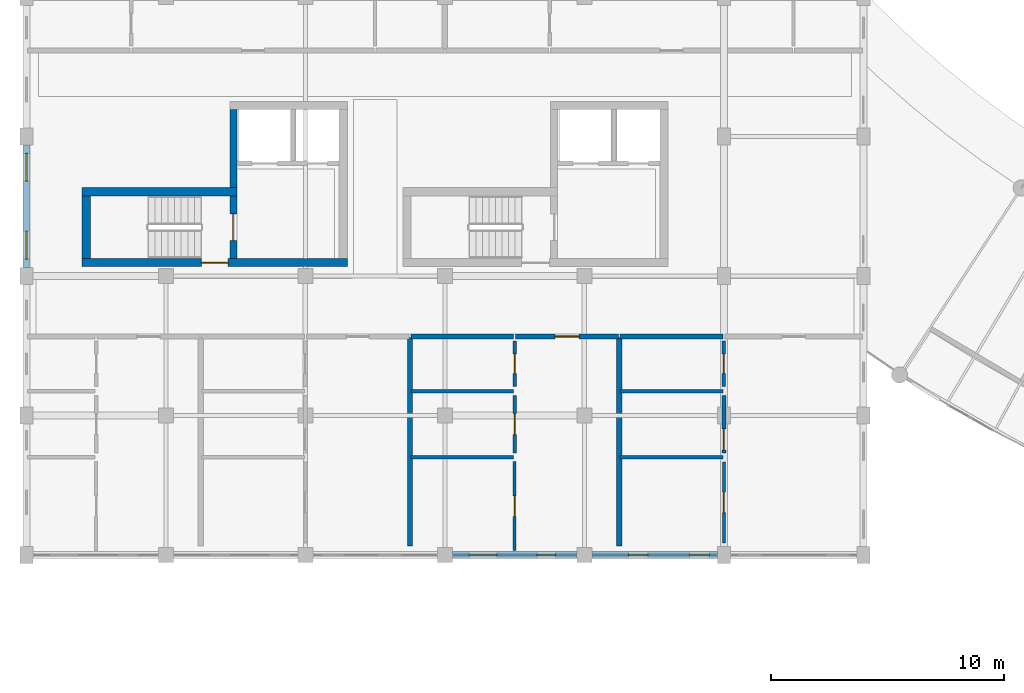
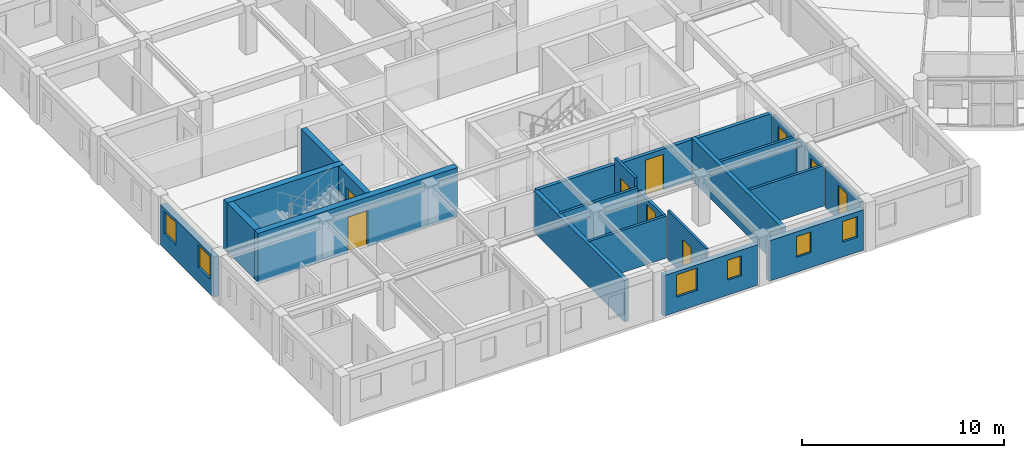
# One storey, part 55 of 100: 23 walls, 9 doors, 6 windows, 15 openings.
"""IFC4 building model written with IfcOpenShell, lengths in metres."""

from ifc_helpers import new_model, si_unit, direction, frame, frame_2d, origin, place, context, subcontext, project, spatial, rectangle, extrude, material, layer, layer_set, type_object, element, fill, save


model = new_model("IFC4")

# Units and contexts
model_context = context("Model", 3, precision=1e-05, world=origin(), true_north=direction((0.0, 1.0)))
body_context = subcontext(model_context, "Body", "Model", "MODEL_VIEW")
ifc_project = project(units=[si_unit("LENGTHUNIT", "METRE"), si_unit("AREAUNIT", "SQUARE_METRE"), si_unit("VOLUMEUNIT", "CUBIC_METRE"), si_unit("PLANEANGLEUNIT", "RADIAN"), si_unit("MASSUNIT", "GRAM", prefix="KILO"), si_unit("POWERUNIT", "WATT"), si_unit("THERMODYNAMICTEMPERATUREUNIT", "KELVIN")], contexts=[model_context])

# Site, building, storey
site_placement = place(None, origin())
site = spatial("IfcSite", under=ifc_project, at=site_placement, CompositionType="ELEMENT")
building_placement = place(site_placement, origin())
building = spatial("IfcBuilding", under=site, at=building_placement, Name="Ruvembo Vaulted Housing Court", CompositionType="ELEMENT")
storey_placement = place(building_placement, frame((0.0, 0.0, 10.89990234375)))
storey = spatial("IfcBuildingStorey", under=building, at=storey_placement, Name="L03", CompositionType="ELEMENT", Elevation=10.89990234375)

# Wall, opening, door
ifc_material_1 = material(Name="Concrete C35/45", Category="concrete")
ifc_layer_1 = layer(ifc_material_1, 0.300048828125, Name="Concrete C35/45")
ifc_layer_set_1 = layer_set([ifc_layer_1], Name="Concrete C35/45")
wall_type_1 = type_object("IfcWallType", Name="WL-CORE-300", PredefinedType="SHEAR", material=ifc_layer_set_1)
wall_1_placement = place(storey_placement, frame((8.89990234375, 18.75, 0.0), z_axis=(0.0, 0.0, 1.0), x_axis=(0.0, 1.0, 0.0)))
wall_1 = element("IfcWall", 1, at=wall_1_placement, inside=storey, type_object=wall_type_1, Name="Core A1 L03 Stair-Lobby Shear Wall", PredefinedType="SHEAR", context=body_context, shape_type="SweptSolid", body=[
    extrude(rectangle(XDim=2.699951171875, YDim=0.300048828125, at=frame_2d((1.35009765625, 0.0))), origin(), (0.0, 0.0, 1.0), 2.960205078125),
])
opening_1_placement = place(wall_1_placement, frame((0.77490234375, 0.0, 0.0)))
opening_1 = element("IfcOpeningElement", 2, at=opening_1_placement, cuts=wall_1, Name="Opening SD1", PredefinedType="OPENING", context=body_context, shape_type="SweptSolid", body=[
    extrude(rectangle(XDim=1.14990234375, YDim=2.14990234375, at=frame_2d((0.574951171875, 1.074951171875))), frame((0.0, 0.159912109375, 0.0), z_axis=(0.0, -1.0, 0.0), x_axis=(1.0, 0.0, 0.0)), (0.0, 0.0, 1.0), 0.320068359375),
])
ifc_material_2 = material(Name="Galvanised Painted Steel", Category="steel")
door_type_1 = type_object("IfcDoorType", Name="DR-STAIR-1150x2150", OperationType="NOTDEFINED", PredefinedType="DOOR", material=ifc_material_2)
door_1_placement = place(opening_1_placement, origin())
door_1 = element("IfcDoor", 3, at=door_1_placement, inside=storey, type_object=door_type_1, Name="Stair ST-A1 L03 Fire Door", OperationType="SINGLE_SWING_RIGHT", OverallHeight=2.14990234375, OverallWidth=1.14990234375, PredefinedType="DOOR", context=body_context, shape_type="SweptSolid", body=[
    extrude(rectangle(XDim=1.14990234375, YDim=2.14990234375, at=frame_2d((0.574951171875, 1.074951171875))), frame((0.0, 0.02490234375, 0.0), z_axis=(0.0, -1.0, 0.0), x_axis=(1.0, 0.0, 0.0)), (0.0, 0.0, 1.0), 0.050048828125),
])
fill(opening_1, door_1)

# Wall
wall_2_placement = place(storey_placement, frame((8.89990234375, 21.800048828125, 0.0), z_axis=(0.0, 0.0, 1.0), x_axis=(0.0, 1.0, 0.0)))
element("IfcWall", 4, at=wall_2_placement, inside=storey, type_object=wall_type_1, Name="Core A1 L03 Upper West Shear Wall", PredefinedType="SHEAR", context=body_context, shape_type="SweptSolid", body=[
    extrude(rectangle(XDim=3.349853515625, YDim=0.300048828125, at=frame_2d((1.6748046875, 0.0))), origin(), (0.0, 0.0, 1.0), 2.960205078125),
])

# Wall, opening, door
ifc_layer_2 = layer(ifc_material_1, 0.35009765625, Name="Concrete C35/45")
ifc_layer_set_2 = layer_set([ifc_layer_2], Name="Concrete C35/45")
wall_type_2 = type_object("IfcWallType", Name="WL-CORE-350", PredefinedType="SHEAR", material=ifc_layer_set_2)
wall_3_placement = place(storey_placement, frame((2.39990234375, 18.574951171875, 0.0), z_axis=(0.0, 0.0, 1.0), x_axis=(1.0, 0.0, 0.0)))
wall_3 = element("IfcWall", 5, at=wall_3_placement, inside=storey, type_object=wall_type_2, Name="Core A1 L03 South Shear Wall", PredefinedType="SHEAR", context=body_context, shape_type="SweptSolid", body=[
    extrude(rectangle(XDim=11.400146484375, YDim=0.35009765625, at=frame_2d((5.7001953125, 0.0))), origin(), (0.0, 0.0, 1.0), 2.960205078125),
])
opening_2_placement = place(wall_3_placement, frame((5.125, 0.0, 0.0)))
opening_2 = element("IfcOpeningElement", 6, at=opening_2_placement, cuts=wall_3, Name="Opening LD0", PredefinedType="OPENING", context=body_context, shape_type="SweptSolid", body=[
    extrude(rectangle(XDim=1.14990234375, YDim=2.14990234375, at=frame_2d((0.574951171875, 1.074951171875))), frame((0.0, 0.18505859375, 0.0), z_axis=(0.0, -1.0, 0.0), x_axis=(1.0, 0.0, 0.0)), (0.0, 0.0, 1.0), 0.3701171875),
])
door_type_2 = type_object("IfcDoorType", Name="DR-LOB-1150x2150", OperationType="NOTDEFINED", PredefinedType="DOOR", material=ifc_material_2)
door_2_placement = place(opening_2_placement, origin())
door_2 = element("IfcDoor", 7, at=door_2_placement, inside=storey, type_object=door_type_2, Name="Core A1 L03 Lobby Fire Door", OperationType="SINGLE_SWING_LEFT", OverallHeight=2.14990234375, OverallWidth=1.14990234375, PredefinedType="DOOR", context=body_context, shape_type="SweptSolid", body=[
    extrude(rectangle(XDim=1.14990234375, YDim=2.14990234375, at=frame_2d((0.574951171875, 1.074951171875))), frame((0.0, 0.02490234375, 0.0), z_axis=(0.0, -1.0, 0.0), x_axis=(1.0, 0.0, 0.0)), (0.0, 0.0, 1.0), 0.050048828125),
])
fill(opening_2, door_2)

# Walls
wall_4_placement = place(storey_placement, frame((9.050048828125, 21.625, 0.0), z_axis=(0.0, 0.0, 1.0), x_axis=(-1.0, 0.0, 0.0)))
element("IfcWall", 8, at=wall_4_placement, inside=storey, type_object=wall_type_2, Name="Core A1 L03 Stair North Shear Wall", PredefinedType="SHEAR", context=body_context, shape_type="SweptSolid", body=[
    extrude(rectangle(XDim=6.650146484375, YDim=0.35009765625, at=frame_2d((3.3251953125, 0.0))), origin(), (0.0, 0.0, 1.0), 2.960205078125),
])
wall_5_placement = place(storey_placement, frame((2.574951171875, 21.449951171875, 0.0), z_axis=(0.0, 0.0, 1.0), x_axis=(0.0, -1.0, 0.0)))
element("IfcWall", 9, at=wall_5_placement, inside=storey, type_object=wall_type_2, Name="Core A1 L03 Stair West Shear Wall", PredefinedType="SHEAR", context=body_context, shape_type="SweptSolid", body=[
    extrude(rectangle(XDim=2.699951171875, YDim=0.35009765625, at=frame_2d((1.35009765625, 0.0))), origin(), (0.0, 0.0, 1.0), 2.960205078125),
])
ifc_material_3 = material(Name="Concrete Blockwork 200", Category="masonry")
ifc_layer_3 = layer(ifc_material_3, 0.199951171875, Name="Concrete Blockwork 200")
ifc_layer_set_3 = layer_set([ifc_layer_3], Name="Concrete Blockwork 200")
wall_type_3 = type_object("IfcWallType", Name="WL-CORR-200", PredefinedType="SOLIDWALL", material=ifc_layer_set_3)
wall_6_placement = place(storey_placement, frame((16.5400390625, 15.39990234375, 0.0), z_axis=(0.0, 0.0, 1.0), x_axis=(1.0, 0.0, 0.0)))
element("IfcWall", 10, at=wall_6_placement, inside=storey, type_object=wall_type_3, Name="L03 Flat A-L03-S3 Corridor Wall WL-INT-L03-00792", PredefinedType="SOLIDWALL", context=body_context, shape_type="SweptSolid", body=[
    extrude(rectangle(XDim=4.419921875, YDim=0.199951171875, at=frame_2d((2.2099609375, 0.0))), origin(), (0.0, 0.0, 1.0), 2.508056640625),
])

# Wall, opening, door
wall_7_placement = place(storey_placement, frame((21.0400390625, 15.39990234375, 0.0), z_axis=(0.0, 0.0, 1.0), x_axis=(1.0, 0.0, 0.0)))
wall_7 = element("IfcWall", 11, at=wall_7_placement, inside=storey, type_object=wall_type_3, Name="L03 Flat A-L03-S3 Entrance WL-INT-L03-00793", PredefinedType="SOLIDWALL", context=body_context, shape_type="SweptSolid", body=[
    extrude(rectangle(XDim=4.419921875, YDim=0.199951171875, at=frame_2d((2.2099609375, 0.0))), origin(), (0.0, 0.0, 1.0), 2.4580078125),
])
opening_3_placement = place(wall_7_placement, frame((1.68505859375, 0.0, 0.0)))
opening_3 = element("IfcOpeningElement", 12, at=opening_3_placement, cuts=wall_7, Name="Opening FD3", PredefinedType="OPENING", context=body_context, shape_type="SweptSolid", body=[
    extrude(rectangle(XDim=1.050048828125, YDim=2.14990234375, at=frame_2d((0.52490234375, 1.074951171875))), frame((0.0, 0.10986328125, 0.0), z_axis=(0.0, -1.0, 0.0), x_axis=(1.0, 0.0, 0.0)), (0.0, 0.0, 1.0), 0.219970703125),
])
ifc_material_4 = material(Name="FSC Hardwood and Engineered Timber", Category="wood")
door_type_3 = type_object("IfcDoorType", Name="DR-FLAT-1050x2150", OperationType="NOTDEFINED", PredefinedType="DOOR", material=ifc_material_4)
door_3_placement = place(opening_3_placement, origin())
door_3 = element("IfcDoor", 13, at=door_3_placement, inside=storey, type_object=door_type_3, Name="L03 Flat A-L03-S3 Entrance Door DR-INT-L03-00440", OperationType="SINGLE_SWING_RIGHT", OverallHeight=2.14990234375, OverallWidth=1.050048828125, PredefinedType="DOOR", context=body_context, shape_type="SweptSolid", body=[
    extrude(rectangle(XDim=1.050048828125, YDim=2.14990234375, at=frame_2d((0.52490234375, 1.074951171875))), frame((0.0, 0.02490234375, 0.0), z_axis=(0.0, -1.0, 0.0), x_axis=(1.0, 0.0, 0.0)), (0.0, 0.0, 1.0), 0.050048828125),
])
fill(opening_3, door_3)

# Walls
wall_8_placement = place(storey_placement, frame((25.5400390625, 15.39990234375, 0.0), z_axis=(0.0, 0.0, 1.0), x_axis=(1.0, 0.0, 0.0)))
element("IfcWall", 14, at=wall_8_placement, inside=storey, type_object=wall_type_3, Name="L03 Flat A-L03-S4 Corridor Wall WL-INT-L03-00799", PredefinedType="SOLIDWALL", context=body_context, shape_type="SweptSolid", body=[
    extrude(rectangle(XDim=4.419921875, YDim=0.199951171875, at=frame_2d((2.2099609375, 0.0))), origin(), (0.0, 0.0, 1.0), 2.442138671875),
])
ifc_material_5 = material(Name="Acoustic Masonry Demising 230", Category="masonry")
ifc_layer_4 = layer(ifc_material_5, 0.22998046875, Name="Acoustic Masonry Demising 230")
ifc_layer_set_4 = layer_set([ifc_layer_4], Name="Acoustic Masonry Demising 230")
wall_type_4 = type_object("IfcWallType", Name="WL-DEM-230", PredefinedType="SOLIDWALL", material=ifc_layer_set_4)
wall_9_placement = place(storey_placement, frame((16.5, 6.389892578125, 0.0), z_axis=(0.0, 0.0, 1.0), x_axis=(0.0, 1.0, 0.0)))
element("IfcWall", 15, at=wall_9_placement, inside=storey, type_object=wall_type_4, Name="L03 Demising A-L03-S2 WL-INT-L03-00783", PredefinedType="SOLIDWALL", context=body_context, shape_type="SweptSolid", body=[
    extrude(rectangle(XDim=8.97021484375, YDim=0.22998046875, at=frame_2d((4.485107421875, 0.0))), origin(), (0.0, 0.0, 1.0), 2.508056640625),
])
wall_10_placement = place(storey_placement, frame((25.5, 6.389892578125, 0.0), z_axis=(0.0, 0.0, 1.0), x_axis=(0.0, 1.0, 0.0)))
element("IfcWall", 16, at=wall_10_placement, inside=storey, type_object=wall_type_4, Name="L03 Demising A-L03-S3 WL-INT-L03-00791", PredefinedType="SOLIDWALL", context=body_context, shape_type="SweptSolid", body=[
    extrude(rectangle(XDim=8.97021484375, YDim=0.22998046875, at=frame_2d((4.485107421875, 0.0))), origin(), (0.0, 0.0, 1.0), 2.548095703125),
])

# Wall, openings, windows
ifc_material_6 = material(Name="Rendered Masonry 300", Category="masonry")
ifc_layer_5 = layer(ifc_material_6, 0.300048828125, Name="Rendered Masonry 300")
ifc_layer_set_5 = layer_set([ifc_layer_5], Name="Rendered Masonry 300")
wall_type_5 = type_object("IfcWallType", Name="WL-EXT-300", PredefinedType="STANDARD", material=ifc_layer_set_5)
wall_11_placement = place(storey_placement, frame((18.324951171875, 6.0, 0.0), z_axis=(0.0, 0.0, 1.0), x_axis=(1.0, 0.0, 0.0)))
wall_11 = element("IfcWall", 17, at=wall_11_placement, inside=storey, type_object=wall_type_5, Name="Block A L03 Exterior Wall STREET #4", PredefinedType="STANDARD", context=body_context, shape_type="SweptSolid", body=[
    extrude(rectangle(XDim=5.35009765625, YDim=0.300048828125, at=frame_2d((2.675048828125, 0.0))), origin(), (0.0, 0.0, 1.0), 2.442138671875),
])
opening_4_placement = place(wall_11_placement, frame((0.717529296875, 0.0, 0.89990234375)))
opening_4 = element("IfcOpeningElement", 18, at=opening_4_placement, cuts=wall_11, Name="Opening W12", PredefinedType="OPENING", context=body_context, shape_type="SweptSolid", body=[
    extrude(rectangle(XDim=1.199951171875, YDim=1.35009765625, at=frame_2d((0.60009765625, 0.675048828125))), frame((0.0, 0.159912109375, 0.0), z_axis=(0.0, -1.0, 0.0), x_axis=(1.0, 0.0, 0.0)), (0.0, 0.0, 1.0), 0.320068359375),
])
opening_5_placement = place(wall_11_placement, frame((3.632568359375, 0.0, 0.89990234375)))
opening_5 = element("IfcOpeningElement", 19, at=opening_5_placement, cuts=wall_11, Name="Opening W02", PredefinedType="OPENING", context=body_context, shape_type="SweptSolid", body=[
    extrude(rectangle(XDim=0.800048828125, YDim=1.199951171875, at=frame_2d((0.39990234375, 0.60009765625))), frame((0.0, 0.159912109375, 0.0), z_axis=(0.0, -1.0, 0.0), x_axis=(1.0, 0.0, 0.0)), (0.0, 0.0, 1.0), 0.320068359375),
])
ifc_material_7 = material(Name="Double Solar-Control Glazing in Aluminium Frame", Category="aluminium")
window_type_1 = type_object("IfcWindowType", Name="WIN-0800x1200", PartitioningType="SINGLE_PANEL", PredefinedType="WINDOW", material=ifc_material_7)
window_1_placement = place(opening_5_placement, origin())
window_1 = element("IfcWindow", 20, at=window_1_placement, inside=storey, type_object=window_type_1, Name="Block A L03 Window #132", OverallHeight=1.199951171875, OverallWidth=0.800048828125, PartitioningType="SINGLE_PANEL", PredefinedType="WINDOW", context=body_context, shape_type="SweptSolid", body=[
    extrude(rectangle(XDim=0.800048828125, YDim=1.199951171875, at=frame_2d((0.39990234375, 0.60009765625))), frame((0.0, 0.030029296875, 0.0), z_axis=(0.0, -1.0, 0.0), x_axis=(1.0, 0.0, 0.0)), (0.0, 0.0, 1.0), 0.06005859375),
])
fill(opening_5, window_1)
window_type_2 = type_object("IfcWindowType", Name="WIN-1200x1350", PartitioningType="SINGLE_PANEL", PredefinedType="WINDOW", material=ifc_material_7)
window_2_placement = place(opening_4_placement, origin())
window_2 = element("IfcWindow", 21, at=window_2_placement, inside=storey, type_object=window_type_2, Name="Block A L03 Window #131", OverallHeight=1.35009765625, OverallWidth=1.199951171875, PartitioningType="SINGLE_PANEL", PredefinedType="WINDOW", context=body_context, shape_type="SweptSolid", body=[
    extrude(rectangle(XDim=1.199951171875, YDim=1.35009765625, at=frame_2d((0.60009765625, 0.675048828125))), frame((0.0, 0.030029296875, 0.0), z_axis=(0.0, -1.0, 0.0), x_axis=(1.0, 0.0, 0.0)), (0.0, 0.0, 1.0), 0.06005859375),
])
fill(opening_4, window_2)

wall_12_placement = place(storey_placement, frame((24.324951171875, 6.0, 0.0), z_axis=(0.0, 0.0, 1.0), x_axis=(1.0, 0.0, 0.0)))
wall_12 = element("IfcWall", 22, at=wall_12_placement, inside=storey, type_object=wall_type_5, Name="Block A L03 Exterior Wall STREET #5", PredefinedType="STANDARD", context=body_context, shape_type="SweptSolid", body=[
    extrude(rectangle(XDim=5.400146484375, YDim=0.300048828125, at=frame_2d((2.7001953125, 0.0))), origin(), (0.0, 0.0, 1.0), 2.442138671875),
])
opening_6_placement = place(wall_12_placement, frame((1.56494140625, 0.0, 0.89990234375)))
opening_6 = element("IfcOpeningElement", 23, at=opening_6_placement, cuts=wall_12, Name="Opening W03", PredefinedType="OPENING", context=body_context, shape_type="SweptSolid", body=[
    extrude(rectangle(XDim=0.85009765625, YDim=1.25, at=frame_2d((0.425048828125, 0.625))), frame((0.0, 0.159912109375, 0.0), z_axis=(0.0, -1.0, 0.0), x_axis=(1.0, 0.0, 0.0)), (0.0, 0.0, 1.0), 0.320068359375),
])
opening_7_placement = place(wall_12_placement, frame((4.199951171875, 0.0, 0.89990234375)))
opening_7 = element("IfcOpeningElement", 24, at=opening_7_placement, cuts=wall_12, Name="Opening W03", PredefinedType="OPENING", context=body_context, shape_type="SweptSolid", body=[
    extrude(rectangle(XDim=0.85009765625, YDim=1.25, at=frame_2d((0.425048828125, 0.625))), frame((0.0, 0.159912109375, 0.0), z_axis=(0.0, -1.0, 0.0), x_axis=(1.0, 0.0, 0.0)), (0.0, 0.0, 1.0), 0.320068359375),
])
window_type_3 = type_object("IfcWindowType", Name="WIN-0850x1250", PartitioningType="SINGLE_PANEL", PredefinedType="WINDOW", material=ifc_material_7)
window_3_placement = place(opening_6_placement, origin())
window_3 = element("IfcWindow", 25, at=window_3_placement, inside=storey, type_object=window_type_3, Name="Block A L03 Window #133", OverallHeight=1.25, OverallWidth=0.85009765625, PartitioningType="SINGLE_PANEL", PredefinedType="WINDOW", context=body_context, shape_type="SweptSolid", body=[
    extrude(rectangle(XDim=0.85009765625, YDim=1.25, at=frame_2d((0.425048828125, 0.625))), frame((0.0, 0.030029296875, 0.0), z_axis=(0.0, -1.0, 0.0), x_axis=(1.0, 0.0, 0.0)), (0.0, 0.0, 1.0), 0.06005859375),
])
fill(opening_6, window_3)
window_4_placement = place(opening_7_placement, origin())
window_4 = element("IfcWindow", 26, at=window_4_placement, inside=storey, type_object=window_type_3, Name="Block A L03 Window #134", OverallHeight=1.25, OverallWidth=0.85009765625, PartitioningType="SINGLE_PANEL", PredefinedType="WINDOW", context=body_context, shape_type="SweptSolid", body=[
    extrude(rectangle(XDim=0.85009765625, YDim=1.25, at=frame_2d((0.425048828125, 0.625))), frame((0.0, 0.030029296875, 0.0), z_axis=(0.0, -1.0, 0.0), x_axis=(1.0, 0.0, 0.0)), (0.0, 0.0, 1.0), 0.06005859375),
])
fill(opening_7, window_4)

wall_13_placement = place(storey_placement, frame((0.0, 23.625, 0.0), z_axis=(0.0, 0.0, 1.0), x_axis=(0.0, -1.0, 0.0)))
wall_13 = element("IfcWall", 27, at=wall_13_placement, inside=storey, type_object=wall_type_5, Name="Block A L03 Exterior Wall WEST #4", PredefinedType="STANDARD", context=body_context, shape_type="SweptSolid", body=[
    extrude(rectangle(XDim=5.25, YDim=0.300048828125, at=frame_2d((2.625, 0.0))), origin(), (0.0, 0.0, 1.0), 2.442138671875),
])
opening_8_placement = place(wall_13_placement, frame((0.35009765625, 0.0, 0.89990234375)))
opening_8 = element("IfcOpeningElement", 28, at=opening_8_placement, cuts=wall_13, Name="Opening W12", PredefinedType="OPENING", context=body_context, shape_type="SweptSolid", body=[
    extrude(rectangle(XDim=1.199951171875, YDim=1.35009765625, at=frame_2d((0.60009765625, 0.675048828125))), frame((0.0, 0.159912109375, 0.0), z_axis=(0.0, -1.0, 0.0), x_axis=(1.0, 0.0, 0.0)), (0.0, 0.0, 1.0), 0.320068359375),
])
opening_9_placement = place(wall_13_placement, frame((3.699951171875, 0.0, 0.89990234375)))
opening_9 = element("IfcOpeningElement", 29, at=opening_9_placement, cuts=wall_13, Name="Opening W12", PredefinedType="OPENING", context=body_context, shape_type="SweptSolid", body=[
    extrude(rectangle(XDim=1.199951171875, YDim=1.35009765625, at=frame_2d((0.60009765625, 0.675048828125))), frame((0.0, 0.159912109375, 0.0), z_axis=(0.0, -1.0, 0.0), x_axis=(1.0, 0.0, 0.0)), (0.0, 0.0, 1.0), 0.320068359375),
])
window_5_placement = place(opening_8_placement, origin())
window_5 = element("IfcWindow", 30, at=window_5_placement, inside=storey, type_object=window_type_2, Name="Block A L03 Window #161", OverallHeight=1.35009765625, OverallWidth=1.199951171875, PartitioningType="SINGLE_PANEL", PredefinedType="WINDOW", context=body_context, shape_type="SweptSolid", body=[
    extrude(rectangle(XDim=1.199951171875, YDim=1.35009765625, at=frame_2d((0.60009765625, 0.675048828125))), frame((0.0, 0.030029296875, 0.0), z_axis=(0.0, -1.0, 0.0), x_axis=(1.0, 0.0, 0.0)), (0.0, 0.0, 1.0), 0.06005859375),
])
fill(opening_8, window_5)
window_6_placement = place(opening_9_placement, origin())
window_6 = element("IfcWindow", 31, at=window_6_placement, inside=storey, type_object=window_type_2, Name="Block A L03 Window #162", OverallHeight=1.35009765625, OverallWidth=1.199951171875, PartitioningType="SINGLE_PANEL", PredefinedType="WINDOW", context=body_context, shape_type="SweptSolid", body=[
    extrude(rectangle(XDim=1.199951171875, YDim=1.35009765625, at=frame_2d((0.60009765625, 0.675048828125))), frame((0.0, 0.030029296875, 0.0), z_axis=(0.0, -1.0, 0.0), x_axis=(1.0, 0.0, 0.0)), (0.0, 0.0, 1.0), 0.06005859375),
])
fill(opening_9, window_6)

# Wall, opening, door
ifc_material_8 = material(Name="Plasterboard Stud Partition 125", Category="gypsum")
ifc_layer_6 = layer(ifc_material_8, 0.125, Name="Plasterboard Stud Partition 125")
ifc_layer_set_6 = layer_set([ifc_layer_6], Name="Plasterboard Stud Partition 125")
wall_type_6 = type_object("IfcWallType", Name="WL-PART-125", PredefinedType="PARTITIONING", material=ifc_layer_set_6)
wall_14_placement = place(storey_placement, frame((21.0, 6.18994140625, 0.0), z_axis=(0.0, 0.0, 1.0), x_axis=(0.0, 1.0, 0.0)))
wall_14 = element("IfcWall", 32, at=wall_14_placement, inside=storey, type_object=wall_type_6, Name="L03 Flat A-L03-S3 Bedroom 1 WL-INT-L03-00794", PredefinedType="PARTITIONING", context=body_context, shape_type="SweptSolid", body=[
    extrude(rectangle(XDim=3.820068359375, YDim=0.125, at=frame_2d((1.91015625, 0.0))), origin(), (0.0, 0.0, 1.0), 2.960205078125),
])
opening_10_placement = place(wall_14_placement, frame((1.469970703125, 0.0, 0.0)))
opening_10 = element("IfcOpeningElement", 33, at=opening_10_placement, cuts=wall_14, Name="Opening ID3", PredefinedType="OPENING", context=body_context, shape_type="SweptSolid", body=[
    extrude(rectangle(XDim=0.8798828125, YDim=2.10009765625, at=frame_2d((0.43994140625, 1.050048828125))), frame((0.0, 0.072509765625, 0.0), z_axis=(0.0, -1.0, 0.0), x_axis=(1.0, 0.0, 0.0)), (0.0, 0.0, 1.0), 0.14501953125),
])
door_type_4 = type_object("IfcDoorType", Name="DR-ROOM-0880x2100", OperationType="NOTDEFINED", PredefinedType="DOOR", material=ifc_material_4)
door_4_placement = place(opening_10_placement, origin())
door_4 = element("IfcDoor", 34, at=door_4_placement, inside=storey, type_object=door_type_4, Name="L03 Flat A-L03-S3 Bedroom 1 Door DR-INT-L03-00441", OperationType="SINGLE_SWING_LEFT", OverallHeight=2.10009765625, OverallWidth=0.8798828125, PredefinedType="DOOR", context=body_context, shape_type="SweptSolid", body=[
    extrude(rectangle(XDim=0.8798828125, YDim=2.10009765625, at=frame_2d((0.43994140625, 1.050048828125))), frame((0.0, 0.02490234375, 0.0), z_axis=(0.0, -1.0, 0.0), x_axis=(1.0, 0.0, 0.0)), (0.0, 0.0, 1.0), 0.050048828125),
])
fill(opening_10, door_4)

ifc_material_9 = material(Name="Acoustic Stud Partition 135", Category="gypsum")
ifc_layer_7 = layer(ifc_material_9, 0.135009765625, Name="Acoustic Stud Partition 135")
ifc_layer_set_7 = layer_set([ifc_layer_7], Name="Acoustic Stud Partition 135")
wall_type_7 = type_object("IfcWallType", Name="WL-PART-135", PredefinedType="PARTITIONING", material=ifc_layer_set_7)
wall_15_placement = place(storey_placement, frame((30.0, 6.510009765625, 0.0), z_axis=(0.0, 0.0, 1.0), x_axis=(0.0, 1.0, 0.0)))
wall_15 = element("IfcWall", 35, at=wall_15_placement, inside=storey, type_object=wall_type_7, Name="L03 Flat A-L03-S4 Bedroom 1 WL-INT-L03-00801", PredefinedType="PARTITIONING", context=body_context, shape_type="SweptSolid", body=[
    extrude(rectangle(XDim=3.5, YDim=0.135009765625, at=frame_2d((1.75, 0.0))), origin(), (0.0, 0.0, 1.0), 2.442138671875),
])
opening_11_placement = place(wall_15_placement, frame((1.31005859375, 0.0, 0.0)))
opening_11 = element("IfcOpeningElement", 36, at=opening_11_placement, cuts=wall_15, Name="Opening ID3", PredefinedType="OPENING", context=body_context, shape_type="SweptSolid", body=[
    extrude(rectangle(XDim=0.8798828125, YDim=2.10009765625, at=frame_2d((0.43994140625, 1.050048828125))), frame((0.0, 0.077392578125, 0.0), z_axis=(0.0, -1.0, 0.0), x_axis=(1.0, 0.0, 0.0)), (0.0, 0.0, 1.0), 0.155029296875),
])
door_5_placement = place(opening_11_placement, origin())
door_5 = element("IfcDoor", 37, at=door_5_placement, inside=storey, type_object=door_type_4, Name="L03 Flat A-L03-S4 Bedroom 1 Door DR-INT-L03-00445", OperationType="SINGLE_SWING_LEFT", OverallHeight=2.10009765625, OverallWidth=0.8798828125, PredefinedType="DOOR", context=body_context, shape_type="SweptSolid", body=[
    extrude(rectangle(XDim=0.8798828125, YDim=2.10009765625, at=frame_2d((0.43994140625, 1.050048828125))), frame((0.0, 0.02490234375, 0.0), z_axis=(0.0, -1.0, 0.0), x_axis=(1.0, 0.0, 0.0)), (0.0, 0.0, 1.0), 0.050048828125),
])
fill(opening_11, door_5)

ifc_material_10 = material(Name="Moisture-Resistant Wet Partition 150", Category="gypsum")
ifc_layer_8 = layer(ifc_material_10, 0.14990234375, Name="Moisture-Resistant Wet Partition 150")
ifc_layer_set_8 = layer_set([ifc_layer_8], Name="Moisture-Resistant Wet Partition 150")
wall_type_8 = type_object("IfcWallType", Name="WL-PART-150", PredefinedType="PARTITIONING", material=ifc_layer_set_8)
wall_16_placement = place(storey_placement, frame((21.0, 13.239990234375, 0.0), z_axis=(0.0, 0.0, 1.0), x_axis=(0.0, 1.0, 0.0)))
wall_16 = element("IfcWall", 38, at=wall_16_placement, inside=storey, type_object=wall_type_8, Name="L03 Flat A-L03-S3 Bathroom WL-INT-L03-00796", PredefinedType="PARTITIONING", context=body_context, shape_type="SweptSolid", body=[
    extrude(rectangle(XDim=1.969970703125, YDim=0.14990234375, at=frame_2d((0.98486328125, 0.0))), origin(), (0.0, 0.0, 1.0), 2.960205078125),
])
opening_12_placement = place(wall_16_placement, frame((0.56005859375, 0.0, 0.0)))
opening_12 = element("IfcOpeningElement", 39, at=opening_12_placement, cuts=wall_16, Name="Opening ID2", PredefinedType="OPENING", context=body_context, shape_type="SweptSolid", body=[
    extrude(rectangle(XDim=0.85009765625, YDim=2.10009765625, at=frame_2d((0.425048828125, 1.050048828125))), frame((0.0, 0.0849609375, 0.0), z_axis=(0.0, -1.0, 0.0), x_axis=(1.0, 0.0, 0.0)), (0.0, 0.0, 1.0), 0.169921875),
])
door_type_5 = type_object("IfcDoorType", Name="DR-WET-0850x2100", OperationType="NOTDEFINED", PredefinedType="DOOR", material=ifc_material_4)
door_6_placement = place(opening_12_placement, origin())
door_6 = element("IfcDoor", 40, at=door_6_placement, inside=storey, type_object=door_type_5, Name="L03 Flat A-L03-S3 Bathroom Door DR-INT-L03-00443", OperationType="SINGLE_SWING_LEFT", OverallHeight=2.10009765625, OverallWidth=0.85009765625, PredefinedType="DOOR", context=body_context, shape_type="SweptSolid", body=[
    extrude(rectangle(XDim=0.85009765625, YDim=2.10009765625, at=frame_2d((0.425048828125, 1.050048828125))), frame((0.0, 0.02490234375, 0.0), z_axis=(0.0, -1.0, 0.0), x_axis=(1.0, 0.0, 0.0)), (0.0, 0.0, 1.0), 0.050048828125),
])
fill(opening_12, door_6)

# Walls
wall_17_placement = place(storey_placement, frame((16.5400390625, 10.199951171875, 0.0), z_axis=(0.0, 0.0, 1.0), x_axis=(1.0, 0.0, 0.0)))
element("IfcWall", 41, at=wall_17_placement, inside=storey, type_object=wall_type_8, Name="L03 Flat A-L03-S3 Wet Wall 1 WL-INT-L03-00797", PredefinedType="PARTITIONING", context=body_context, shape_type="SweptSolid", body=[
    extrude(rectangle(XDim=4.419921875, YDim=0.14990234375, at=frame_2d((2.2099609375, 0.0))), origin(), (0.0, 0.0, 1.0), 2.548095703125),
])
wall_18_placement = place(storey_placement, frame((16.5400390625, 13.050048828125, 0.0), z_axis=(0.0, 0.0, 1.0), x_axis=(1.0, 0.0, 0.0)))
element("IfcWall", 42, at=wall_18_placement, inside=storey, type_object=wall_type_8, Name="L03 Flat A-L03-S3 Wet Wall 2 WL-INT-L03-00798", PredefinedType="PARTITIONING", context=body_context, shape_type="SweptSolid", body=[
    extrude(rectangle(XDim=4.419921875, YDim=0.14990234375, at=frame_2d((2.2099609375, 0.0))), origin(), (0.0, 0.0, 1.0), 2.508056640625),
])

# Wall, opening, door
wall_19_placement = place(storey_placement, frame((30.0, 13.239990234375, 0.0), z_axis=(0.0, 0.0, 1.0), x_axis=(0.0, 1.0, 0.0)))
wall_19 = element("IfcWall", 43, at=wall_19_placement, inside=storey, type_object=wall_type_8, Name="L03 Flat A-L03-S4 Bathroom WL-INT-L03-00803", PredefinedType="PARTITIONING", context=body_context, shape_type="SweptSolid", body=[
    extrude(rectangle(XDim=1.969970703125, YDim=0.14990234375, at=frame_2d((0.98486328125, 0.0))), origin(), (0.0, 0.0, 1.0), 2.442138671875),
])
opening_13_placement = place(wall_19_placement, frame((0.574951171875, 0.0, 0.0)))
opening_13 = element("IfcOpeningElement", 44, at=opening_13_placement, cuts=wall_19, Name="Opening ID4", PredefinedType="OPENING", context=body_context, shape_type="SweptSolid", body=[
    extrude(rectangle(XDim=0.820068359375, YDim=2.080078125, at=frame_2d((0.41015625, 1.0400390625))), frame((0.0, 0.0849609375, 0.0), z_axis=(0.0, -1.0, 0.0), x_axis=(1.0, 0.0, 0.0)), (0.0, 0.0, 1.0), 0.169921875),
])
door_type_6 = type_object("IfcDoorType", Name="DR-WET-0820x2080", OperationType="NOTDEFINED", PredefinedType="DOOR", material=ifc_material_4)
door_7_placement = place(opening_13_placement, origin())
door_7 = element("IfcDoor", 45, at=door_7_placement, inside=storey, type_object=door_type_6, Name="L03 Flat A-L03-S4 Bathroom Door DR-INT-L03-00447", OperationType="SINGLE_SWING_LEFT", OverallHeight=2.080078125, OverallWidth=0.820068359375, PredefinedType="DOOR", context=body_context, shape_type="SweptSolid", body=[
    extrude(rectangle(XDim=0.820068359375, YDim=2.080078125, at=frame_2d((0.41015625, 1.0400390625))), frame((0.0, 0.02490234375, 0.0), z_axis=(0.0, -1.0, 0.0), x_axis=(1.0, 0.0, 0.0)), (0.0, 0.0, 1.0), 0.050048828125),
])
fill(opening_13, door_7)

# Walls
for number, where, z_axis, x_axis, name in (
    (46, (25.5400390625, 10.199951171875, 0.0), (0.0, 0.0, 1.0), (1.0, 0.0, 0.0), "L03 Flat A-L03-S4 Wet Wall 1 WL-INT-L03-00804"),
    (47, (25.5400390625, 13.050048828125, 0.0), (0.0, 0.0, 1.0), (1.0, 0.0, 0.0), "L03 Flat A-L03-S4 Wet Wall 2 WL-INT-L03-00805"),
):
    element("IfcWall", number, at=place(storey_placement, frame(where, z_axis=z_axis, x_axis=x_axis)), inside=storey, type_object=wall_type_8, Name=name, PredefinedType="PARTITIONING", context=body_context, shape_type="SweptSolid", body=[
        extrude(rectangle(XDim=4.419921875, YDim=0.14990234375, at=frame_2d((2.2099609375, 0.0))), origin(), (0.0, 0.0, 1.0), 2.442138671875),
    ])

# Wall, opening, door
ifc_material_11 = material(Name="Acoustic Service Chase Wall 160", Category="gypsum")
ifc_layer_9 = layer(ifc_material_11, 0.159912109375, Name="Acoustic Service Chase Wall 160")
ifc_layer_set_9 = layer_set([ifc_layer_9], Name="Acoustic Service Chase Wall 160")
wall_type_9 = type_object("IfcWallType", Name="WL-PLUMB-160", PredefinedType="PLUMBINGWALL", material=ifc_layer_set_9)
wall_20_placement = place(storey_placement, frame((21.0, 10.389892578125, 0.0), z_axis=(0.0, 0.0, 1.0), x_axis=(0.0, 1.0, 0.0)))
wall_20 = element("IfcWall", 48, at=wall_20_placement, inside=storey, type_object=wall_type_9, Name="L03 Flat A-L03-S3 Kitchen WL-INT-L03-00795", PredefinedType="PLUMBINGWALL", context=body_context, shape_type="SweptSolid", body=[
    extrude(rectangle(XDim=2.47021484375, YDim=0.159912109375, at=frame_2d((1.235107421875, 0.0))), origin(), (0.0, 0.0, 1.0), 2.408203125),
])
opening_14_placement = place(wall_20_placement, frame((0.784912109375, 0.0, 0.0)))
opening_14 = element("IfcOpeningElement", 49, at=opening_14_placement, cuts=wall_20, Name="Opening ID1", PredefinedType="OPENING", context=body_context, shape_type="SweptSolid", body=[
    extrude(rectangle(XDim=0.89990234375, YDim=2.10009765625, at=frame_2d((0.449951171875, 1.050048828125))), frame((0.0, 0.08984375, 0.0), z_axis=(0.0, -1.0, 0.0), x_axis=(1.0, 0.0, 0.0)), (0.0, 0.0, 1.0), 0.179931640625),
])
door_type_7 = type_object("IfcDoorType", Name="DR-ROOM-0900x2100", OperationType="NOTDEFINED", PredefinedType="DOOR", material=ifc_material_4)
door_8_placement = place(opening_14_placement, origin())
door_8 = element("IfcDoor", 50, at=door_8_placement, inside=storey, type_object=door_type_7, Name="L03 Flat A-L03-S3 Kitchen Door DR-INT-L03-00442", OperationType="SINGLE_SWING_RIGHT", OverallHeight=2.10009765625, OverallWidth=0.89990234375, PredefinedType="DOOR", context=body_context, shape_type="SweptSolid", body=[
    extrude(rectangle(XDim=0.89990234375, YDim=2.10009765625, at=frame_2d((0.449951171875, 1.050048828125))), frame((0.0, 0.02490234375, 0.0), z_axis=(0.0, -1.0, 0.0), x_axis=(1.0, 0.0, 0.0)), (0.0, 0.0, 1.0), 0.050048828125),
])
fill(opening_14, door_8)

wall_21_placement = place(storey_placement, frame((30.0, 10.389892578125, 0.0), z_axis=(0.0, 0.0, 1.0), x_axis=(0.0, 1.0, 0.0)))
wall_21 = element("IfcWall", 51, at=wall_21_placement, inside=storey, type_object=wall_type_9, Name="L03 Flat A-L03-S4 Kitchen WL-INT-L03-00802", PredefinedType="PLUMBINGWALL", context=body_context, shape_type="SweptSolid", body=[
    extrude(rectangle(XDim=2.47021484375, YDim=0.159912109375, at=frame_2d((1.235107421875, 0.0))), origin(), (0.0, 0.0, 1.0), 2.442138671875),
])
opening_15_placement = place(wall_21_placement, frame((0.1298828125, 0.0, 0.0)))
opening_15 = element("IfcOpeningElement", 52, at=opening_15_placement, cuts=wall_21, Name="Opening ID1", PredefinedType="OPENING", context=body_context, shape_type="SweptSolid", body=[
    extrude(rectangle(XDim=0.89990234375, YDim=2.10009765625, at=frame_2d((0.449951171875, 1.050048828125))), frame((0.0, 0.08984375, 0.0), z_axis=(0.0, -1.0, 0.0), x_axis=(1.0, 0.0, 0.0)), (0.0, 0.0, 1.0), 0.179931640625),
])
door_9_placement = place(opening_15_placement, origin())
door_9 = element("IfcDoor", 53, at=door_9_placement, inside=storey, type_object=door_type_7, Name="L03 Flat A-L03-S4 Kitchen Door DR-INT-L03-00446", OperationType="SINGLE_SWING_RIGHT", OverallHeight=2.10009765625, OverallWidth=0.89990234375, PredefinedType="DOOR", context=body_context, shape_type="SweptSolid", body=[
    extrude(rectangle(XDim=0.89990234375, YDim=2.10009765625, at=frame_2d((0.449951171875, 1.050048828125))), frame((0.0, 0.02490234375, 0.0), z_axis=(0.0, -1.0, 0.0), x_axis=(1.0, 0.0, 0.0)), (0.0, 0.0, 1.0), 0.050048828125),
])
fill(opening_15, door_9)

save(model, "model.ifc")
